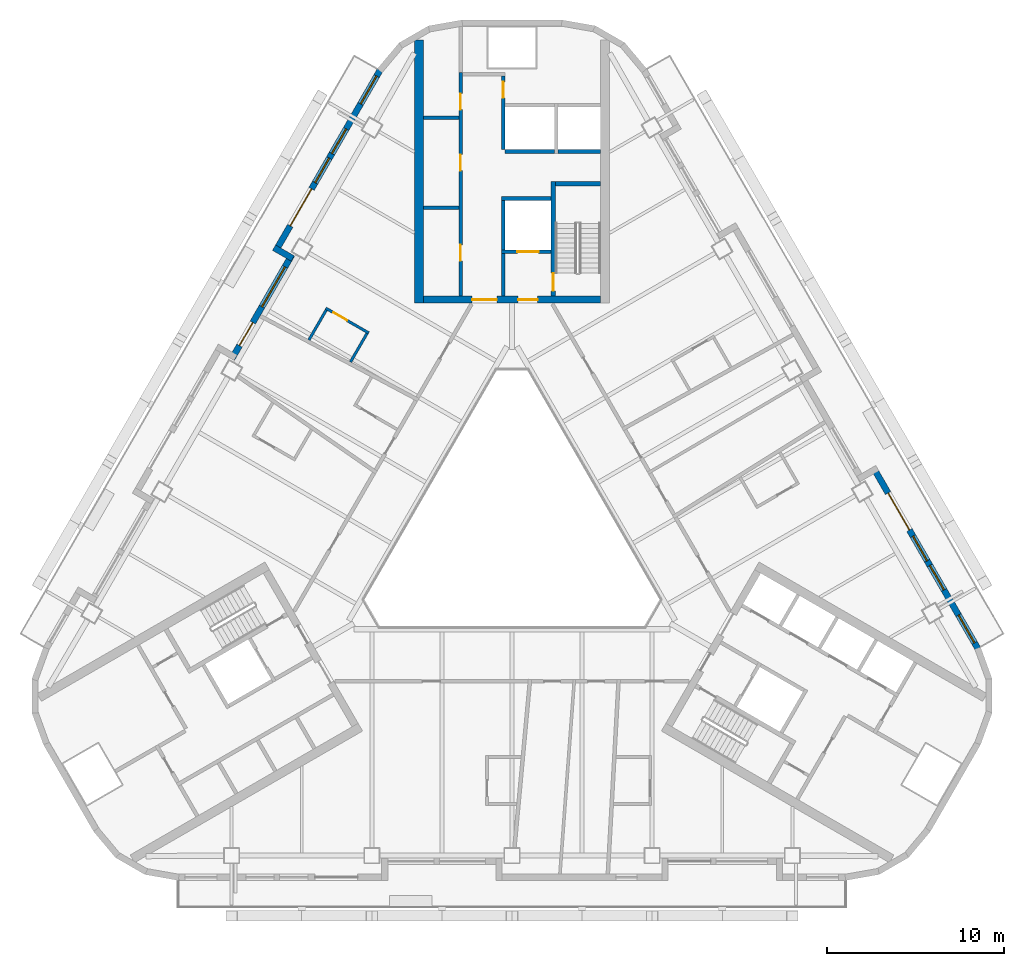
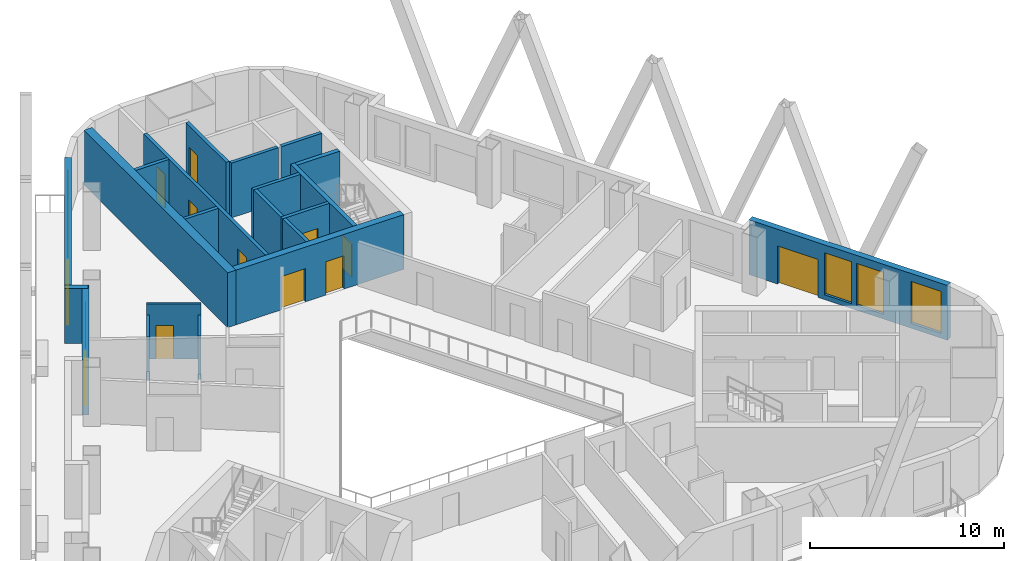
# One storey, part 6 of 13: 21 walls, 12 doors, 7 windows, 19 openings.
"""IFC4 building model written with IfcOpenShell, lengths in metres."""

from ifc_helpers import new_model, si_unit, direction, frame, frame_2d, origin, place, context, subcontext, project, spatial, rectangle, extrude, material, layer, layer_set, type_object, element, fill, save


model = new_model("IFC4")

# Units and contexts
model_context = context("Model", 3, precision=1e-05, world=origin(), true_north=direction((0.0, 1.0)))
body_context = subcontext(model_context, "Body", "Model", "MODEL_VIEW")
ifc_project = project(units=[si_unit("LENGTHUNIT", "METRE"), si_unit("AREAUNIT", "SQUARE_METRE"), si_unit("VOLUMEUNIT", "CUBIC_METRE"), si_unit("PLANEANGLEUNIT", "RADIAN"), si_unit("MASSUNIT", "GRAM", prefix="KILO")], contexts=[model_context])

# Site, building, storey
site_placement = place(None, origin())
site = spatial("IfcSite", under=ifc_project, at=site_placement, CompositionType="ELEMENT")
building_placement = place(site_placement, origin())
building = spatial("IfcBuilding", under=site, at=building_placement, Name="Apuvela Tower Hotel", CompositionType="ELEMENT")
storey_placement = place(building_placement, frame((0.0, 0.0, 127.89990234375)))
storey = spatial("IfcBuildingStorey", under=building, at=storey_placement, Name="L30", CompositionType="ELEMENT", Elevation=127.89990234375)

# Wall, openings, doors
ifc_material_1 = material(Name="Concrete C50/60", Category="concrete")
ifc_layer_1 = layer(ifc_material_1, 0.39990234375)
ifc_layer_set_1 = layer_set([ifc_layer_1], Name="COR-WALL-CORE-400")
wall_type_1 = type_object("IfcWallType", Name="COR-WALL-CORE-400", PredefinedType="SHEAR", material=ifc_layer_set_1)
wall_1_placement = place(storey_placement, frame((5.0, 13.10009765625, 0.0), z_axis=(0.0, 0.0, 1.0), x_axis=(-1.0, 0.0, 0.0)))
wall_1 = element("IfcWall", 1, at=wall_1_placement, inside=storey, type_object=wall_type_1, Name="Core wall N", PredefinedType="SHEAR", context=body_context, shape_type="SweptSolid", body=[
    extrude(rectangle(XDim=10.0, YDim=0.39990234375, at=frame_2d((5.0, 0.0))), origin(), (0.0, 0.0, 1.0), 3.4501953125),
])
opening_1_placement = place(wall_1_placement, frame((3.550048828125, 0.0, 0.0)))
opening_1 = element("IfcOpeningElement", 2, at=opening_1_placement, cuts=wall_1, Name="Opening N-FD", PredefinedType="OPENING", context=body_context, shape_type="SweptSolid", body=[
    extrude(rectangle(XDim=1.10009765625, YDim=2.10009765625, at=frame_2d((0.550048828125, 1.050048828125))), frame((0.0, 0.2099609375, 0.0), z_axis=(0.0, -1.0, 0.0), x_axis=(1.0, 0.0, 0.0)), (0.0, 0.0, 1.0), 0.419921875),
])
opening_2_placement = place(wall_1_placement, frame((5.85009765625, 0.0, 0.0)))
opening_2 = element("IfcOpeningElement", 3, at=opening_2_placement, cuts=wall_1, Name="Opening N-GD", PredefinedType="OPENING", context=body_context, shape_type="SweptSolid", body=[
    extrude(rectangle(XDim=1.39990234375, YDim=2.10009765625, at=frame_2d((0.699951171875, 1.050048828125))), frame((0.0, 0.2099609375, 0.0), z_axis=(0.0, -1.0, 0.0), x_axis=(1.0, 0.0, 0.0)), (0.0, 0.0, 1.0), 0.419921875),
])
ifc_material_2 = material(Name="Steel fire door, powder coated", Category="steel")
door_type_1 = type_object("IfcDoorType", Name="COR-FD-1100", OperationType="NOTDEFINED", PredefinedType="DOOR", material=ifc_material_2)
door_1_placement = place(opening_1_placement, frame((1.10009765625, 0.0, 0.0), z_axis=(0.0, 0.0, 1.0), x_axis=(-1.0, 0.0, 0.0)))
door_1 = element("IfcDoor", 4, at=door_1_placement, inside=storey, type_object=door_type_1, Name="Firefighting lobby door N-FD", OperationType="SINGLE_SWING_LEFT", OverallHeight=2.10009765625, OverallWidth=1.10009765625, PredefinedType="DOOR", context=body_context, shape_type="SweptSolid", body=[
    extrude(rectangle(XDim=1.10009765625, YDim=2.10009765625, at=frame_2d((0.550048828125, 1.050048828125))), frame((0.0, 0.02490234375, 0.0), z_axis=(0.0, -1.0, 0.0), x_axis=(1.0, 0.0, 0.0)), (0.0, 0.0, 1.0), 0.050048828125),
])
fill(opening_1, door_1)
ifc_material_3 = material(Name="Glazed steel fire door", Category="steel")
door_type_2 = type_object("IfcDoorType", Name="COR-GD-1400", OperationType="DOUBLE_DOOR_SINGLE_SWING", PredefinedType="DOOR", material=ifc_material_3)
door_2_placement = place(opening_2_placement, frame((1.39990234375, 0.0, 0.0), z_axis=(0.0, 0.0, 1.0), x_axis=(-1.0, 0.0, 0.0)))
door_2 = element("IfcDoor", 5, at=door_2_placement, inside=storey, type_object=door_type_2, Name="Lift lobby door N-GD", OperationType="DOUBLE_DOOR_SINGLE_SWING", OverallHeight=2.10009765625, OverallWidth=1.39990234375, PredefinedType="DOOR", context=body_context, shape_type="SweptSolid", body=[
    extrude(rectangle(XDim=1.39990234375, YDim=2.10009765625, at=frame_2d((0.699951171875, 1.050048828125))), frame((0.0, 0.02490234375, 0.0), z_axis=(0.0, -1.0, 0.0), x_axis=(1.0, 0.0, 0.0)), (0.0, 0.0, 1.0), 0.050048828125),
])
fill(opening_2, door_2)

# Walls
ifc_layer_2 = layer(ifc_material_1, 0.5)
ifc_layer_set_2 = layer_set([ifc_layer_2], Name="COR-WALL-CORE-500")
wall_type_2 = type_object("IfcWallType", Name="COR-WALL-CORE-500", PredefinedType="SHEAR", material=ifc_layer_set_2)
wall_2_placement = place(storey_placement, frame((-5.25, 12.89990234375, 0.0), z_axis=(0.0, 0.0, 1.0), x_axis=(0.0, 1.0, 0.0)))
element("IfcWall", 6, at=wall_2_placement, inside=storey, type_object=wall_type_2, Name="Core wall N", PredefinedType="SHEAR", context=body_context, shape_type="SweptSolid", body=[
    extrude(rectangle(XDim=14.8369140625, YDim=0.5, at=frame_2d((7.41845703125, 0.0))), origin(), (0.0, 0.0, 1.0), 3.4501953125),
])
ifc_material_4 = material(Name="Blockwork 200 mm plastered", Category="masonry")
ifc_layer_3 = layer(ifc_material_4, 0.199951171875)
ifc_layer_set_3 = layer_set([ifc_layer_3], Name="COR-WALL-PART-200")
wall_type_3 = type_object("IfcWallType", Name="COR-WALL-PART-200", PredefinedType="PARTITIONING", material=ifc_layer_set_3)
wall_3_placement = place(storey_placement, frame((5.0, 21.449951171875, 0.0), z_axis=(0.0, 0.0, 1.0), x_axis=(-1.0, 0.0, 0.0)))
element("IfcWall", 7, at=wall_3_placement, inside=storey, type_object=wall_type_3, Name="Partition N", PredefinedType="PARTITIONING", context=body_context, shape_type="SweptSolid", body=[
    extrude(rectangle(XDim=2.39990234375, YDim=0.199951171875, at=frame_2d((1.199951171875, 0.0))), origin(), (0.0, 0.0, 1.0), 3.4501953125),
])
wall_4_placement = place(storey_placement, frame((2.39990234375, 21.449951171875, 0.0), z_axis=(0.0, 0.0, 1.0), x_axis=(-1.0, 0.0, 0.0)))
element("IfcWall", 8, at=wall_4_placement, inside=storey, type_object=wall_type_3, Name="Partition N", PredefinedType="PARTITIONING", context=body_context, shape_type="SweptSolid", body=[
    extrude(rectangle(XDim=2.7998046875, YDim=0.199951171875, at=frame_2d((1.39990234375, 0.0))), origin(), (0.0, 0.0, 1.0), 3.4501953125),
])
ifc_layer_4 = layer(ifc_material_1, 0.199951171875)
ifc_layer_set_4 = layer_set([ifc_layer_4], Name="COR-WALL-SHAFT-200")
wall_type_4 = type_object("IfcWallType", Name="COR-WALL-SHAFT-200", PredefinedType="SHEAR", material=ifc_layer_set_4)
wall_5_placement = place(storey_placement, frame((2.199951171875, 18.800048828125, 0.0), z_axis=(0.0, 0.0, 1.0), x_axis=(-1.0, 0.0, 0.0)))
element("IfcWall", 9, at=wall_5_placement, inside=storey, type_object=wall_type_4, Name="Shaft wall N", PredefinedType="SHEAR", context=body_context, shape_type="SweptSolid", body=[
    extrude(rectangle(XDim=2.800048828125, YDim=0.199951171875, at=frame_2d((1.39990234375, 0.0))), origin(), (0.0, 0.0, 1.0), 3.4501953125),
])

# Wall, opening, door
wall_6_placement = place(storey_placement, frame((2.199951171875, 15.800048828125, 0.0), z_axis=(0.0, 0.0, 1.0), x_axis=(-1.0, 0.0, 0.0)))
wall_6 = element("IfcWall", 10, at=wall_6_placement, inside=storey, type_object=wall_type_4, Name="Shaft wall N", PredefinedType="SHEAR", context=body_context, shape_type="SweptSolid", body=[
    extrude(rectangle(XDim=2.800048828125, YDim=0.199951171875, at=frame_2d((1.39990234375, 0.0))), origin(), (0.0, 0.0, 1.0), 3.4501953125),
])
opening_3_placement = place(wall_6_placement, frame((0.699951171875, 0.0, 0.0)))
opening_3 = element("IfcOpeningElement", 11, at=opening_3_placement, cuts=wall_6, Name="Opening N-LD-FS1", PredefinedType="OPENING", context=body_context, shape_type="SweptSolid", body=[
    extrude(rectangle(XDim=1.199951171875, YDim=2.10009765625, at=frame_2d((0.60009765625, 1.050048828125))), frame((0.0, 0.10986328125, 0.0), z_axis=(0.0, -1.0, 0.0), x_axis=(1.0, 0.0, 0.0)), (0.0, 0.0, 1.0), 0.219970703125),
])
ifc_material_5 = material(Name="Stainless steel lift landing door", Category="steel")
door_type_3 = type_object("IfcDoorType", Name="COR-LD-1200", OperationType="DOUBLE_DOOR_SLIDING", PredefinedType="DOOR", material=ifc_material_5)
door_3_placement = place(opening_3_placement, origin())
door_3 = element("IfcDoor", 12, at=door_3_placement, inside=storey, type_object=door_type_3, Name="Lift landing door N-LD-FS1", OperationType="DOUBLE_DOOR_SLIDING", OverallHeight=2.10009765625, OverallWidth=1.199951171875, PredefinedType="DOOR", context=body_context, shape_type="SweptSolid", body=[
    extrude(rectangle(XDim=1.199951171875, YDim=2.10009765625, at=frame_2d((0.60009765625, 1.050048828125))), frame((0.0, 0.02490234375, 0.0), z_axis=(0.0, -1.0, 0.0), x_axis=(1.0, 0.0, 0.0)), (0.0, 0.0, 1.0), 0.050048828125),
])
fill(opening_3, door_3)

# Walls
wall_7_placement = place(storey_placement, frame((-0.5, 15.89990234375, 0.0), z_axis=(0.0, 0.0, 1.0), x_axis=(0.0, 1.0, 0.0)))
element("IfcWall", 13, at=wall_7_placement, inside=storey, type_object=wall_type_4, Name="Shaft wall N", PredefinedType="SHEAR", context=body_context, shape_type="SweptSolid", body=[
    extrude(rectangle(XDim=2.800048828125, YDim=0.199951171875, at=frame_2d((1.39990234375, 0.0))), origin(), (0.0, 0.0, 1.0), 3.4501953125),
])
wall_8_placement = place(storey_placement, frame((-0.5, 13.300048828125, 0.0), z_axis=(0.0, 0.0, 1.0), x_axis=(0.0, 1.0, 0.0)))
element("IfcWall", 14, at=wall_8_placement, inside=storey, type_object=wall_type_4, Name="Shaft wall N", PredefinedType="SHEAR", context=body_context, shape_type="SweptSolid", body=[
    extrude(rectangle(XDim=2.39990234375, YDim=0.199951171875, at=frame_2d((1.199951171875, 0.0))), origin(), (0.0, 0.0, 1.0), 3.4501953125),
])

# Wall, openings, doors
wall_9_placement = place(storey_placement, frame((-2.89990234375, 13.300048828125, 0.0), z_axis=(0.0, 0.0, 1.0), x_axis=(0.0, 1.0, 0.0)))
wall_9 = element("IfcWall", 15, at=wall_9_placement, inside=storey, type_object=wall_type_4, Name="Shaft wall N", PredefinedType="SHEAR", context=body_context, shape_type="SweptSolid", body=[
    extrude(rectangle(XDim=12.599853515625, YDim=0.199951171875, at=frame_2d((6.2998046875, 0.0))), origin(), (0.0, 0.0, 1.0), 3.4501953125),
])
opening_4_placement = place(wall_9_placement, frame((1.989990234375, 0.0, 0.0)))
opening_4 = element("IfcOpeningElement", 16, at=opening_4_placement, cuts=wall_9, Name="Opening N-RE1", PredefinedType="OPENING", context=body_context, shape_type="SweptSolid", body=[
    extrude(rectangle(XDim=0.89990234375, YDim=2.10009765625, at=frame_2d((0.449951171875, 1.050048828125))), frame((0.0, 0.10986328125, 0.0), z_axis=(0.0, -1.0, 0.0), x_axis=(1.0, 0.0, 0.0)), (0.0, 0.0, 1.0), 0.219970703125),
])
opening_5_placement = place(wall_9_placement, frame((7.070068359375, 0.0, 0.0)))
opening_5 = element("IfcOpeningElement", 17, at=opening_5_placement, cuts=wall_9, Name="Opening N-RE3", PredefinedType="OPENING", context=body_context, shape_type="SweptSolid", body=[
    extrude(rectangle(XDim=0.89990234375, YDim=2.10009765625, at=frame_2d((0.449951171875, 1.050048828125))), frame((0.0, 0.10986328125, 0.0), z_axis=(0.0, -1.0, 0.0), x_axis=(1.0, 0.0, 0.0)), (0.0, 0.0, 1.0), 0.219970703125),
])
opening_6_placement = place(wall_9_placement, frame((10.510009765625, 0.0, 0.0)))
opening_6 = element("IfcOpeningElement", 18, at=opening_6_placement, cuts=wall_9, Name="Opening N-REP", PredefinedType="OPENING", context=body_context, shape_type="SweptSolid", body=[
    extrude(rectangle(XDim=0.89990234375, YDim=2.10009765625, at=frame_2d((0.449951171875, 1.050048828125))), frame((0.0, 0.10986328125, 0.0), z_axis=(0.0, -1.0, 0.0), x_axis=(1.0, 0.0, 0.0)), (0.0, 0.0, 1.0), 0.219970703125),
])
door_type_4 = type_object("IfcDoorType", Name="COR-DR-900", OperationType="NOTDEFINED", PredefinedType="DOOR", material=ifc_material_2)
door_4_placement = place(opening_4_placement, origin())
door_4 = element("IfcDoor", 19, at=door_4_placement, inside=storey, type_object=door_type_4, Name="Store door N-RE1", OperationType="SINGLE_SWING_LEFT", OverallHeight=2.10009765625, OverallWidth=0.89990234375, PredefinedType="DOOR", context=body_context, shape_type="SweptSolid", body=[
    extrude(rectangle(XDim=0.89990234375, YDim=2.10009765625, at=frame_2d((0.449951171875, 1.050048828125))), frame((0.0, 0.02490234375, 0.0), z_axis=(0.0, -1.0, 0.0), x_axis=(1.0, 0.0, 0.0)), (0.0, 0.0, 1.0), 0.050048828125),
])
fill(opening_4, door_4)
door_5_placement = place(opening_5_placement, origin())
door_5 = element("IfcDoor", 20, at=door_5_placement, inside=storey, type_object=door_type_4, Name="Store door N-RE3", OperationType="SINGLE_SWING_LEFT", OverallHeight=2.10009765625, OverallWidth=0.89990234375, PredefinedType="DOOR", context=body_context, shape_type="SweptSolid", body=[
    extrude(rectangle(XDim=0.89990234375, YDim=2.10009765625, at=frame_2d((0.449951171875, 1.050048828125))), frame((0.0, 0.02490234375, 0.0), z_axis=(0.0, -1.0, 0.0), x_axis=(1.0, 0.0, 0.0)), (0.0, 0.0, 1.0), 0.050048828125),
])
fill(opening_5, door_5)
door_6_placement = place(opening_6_placement, origin())
door_6 = element("IfcDoor", 21, at=door_6_placement, inside=storey, type_object=door_type_4, Name="Store door N-REP", OperationType="SINGLE_SWING_RIGHT", OverallHeight=2.10009765625, OverallWidth=0.89990234375, PredefinedType="DOOR", context=body_context, shape_type="SweptSolid", body=[
    extrude(rectangle(XDim=0.89990234375, YDim=2.10009765625, at=frame_2d((0.449951171875, 1.050048828125))), frame((0.0, 0.02490234375, 0.0), z_axis=(0.0, -1.0, 0.0), x_axis=(1.0, 0.0, 0.0)), (0.0, 0.0, 1.0), 0.050048828125),
])
fill(opening_6, door_6)

# Wall, opening, door
wall_10_placement = place(storey_placement, frame((-0.5, 21.550048828125, 0.0), z_axis=(0.0, 0.0, 1.0), x_axis=(0.0, 1.0, 0.0)))
wall_10 = element("IfcWall", 22, at=wall_10_placement, inside=storey, type_object=wall_type_4, Name="Shaft wall N", PredefinedType="SHEAR", context=body_context, shape_type="SweptSolid", body=[
    extrude(rectangle(XDim=4.14990234375, YDim=0.199951171875, at=frame_2d((2.074951171875, 0.0))), origin(), (0.0, 0.0, 1.0), 3.4501953125),
])
opening_7_placement = place(wall_10_placement, frame((2.925048828125, 0.0, 0.0)))
opening_7 = element("IfcOpeningElement", 23, at=opening_7_placement, cuts=wall_10, Name="Opening N-RSP", PredefinedType="OPENING", context=body_context, shape_type="SweptSolid", body=[
    extrude(rectangle(XDim=0.89990234375, YDim=2.10009765625, at=frame_2d((0.449951171875, 1.050048828125))), frame((0.0, 0.10986328125, 0.0), z_axis=(0.0, -1.0, 0.0), x_axis=(1.0, 0.0, 0.0)), (0.0, 0.0, 1.0), 0.219970703125),
])
door_7_placement = place(opening_7_placement, frame((0.89990234375, 0.0, 0.0), z_axis=(0.0, 0.0, 1.0), x_axis=(-1.0, 0.0, 0.0)))
door_7 = element("IfcDoor", 24, at=door_7_placement, inside=storey, type_object=door_type_4, Name="Store door N-RSP", OperationType="SINGLE_SWING_LEFT", OverallHeight=2.10009765625, OverallWidth=0.89990234375, PredefinedType="DOOR", context=body_context, shape_type="SweptSolid", body=[
    extrude(rectangle(XDim=0.89990234375, YDim=2.10009765625, at=frame_2d((0.449951171875, 1.050048828125))), frame((0.0, 0.02490234375, 0.0), z_axis=(0.0, -1.0, 0.0), x_axis=(1.0, 0.0, 0.0)), (0.0, 0.0, 1.0), 0.050048828125),
])
fill(opening_7, door_7)

# Walls
for number, where, z_axis, x_axis, name in (
    (25, (-3.0, 18.280029296875, 0.0), (0.0, 0.0, 1.0), (-1.0, 0.0, 0.0), "Shaft wall N"),
    (26, (-3.0, 23.360107421875, 0.0), (0.0, 0.0, 1.0), (-1.0, 0.0, 0.0), "Shaft wall N"),
):
    element("IfcWall", number, at=place(storey_placement, frame(where, z_axis=z_axis, x_axis=x_axis)), inside=storey, type_object=wall_type_4, Name=name, PredefinedType="SHEAR", context=body_context, shape_type="SweptSolid", body=[
        extrude(rectangle(XDim=2.0, YDim=0.199951171875, at=frame_2d((1.0, 0.0))), origin(), (0.0, 0.0, 1.0), 3.4501953125),
    ])

# Wall, opening, door
ifc_layer_5 = layer(ifc_material_1, 0.25)
ifc_layer_set_5 = layer_set([ifc_layer_5], Name="COR-WALL-STAIR-250")
wall_type_5 = type_object("IfcWallType", Name="COR-WALL-STAIR-250", PredefinedType="SHEAR", material=ifc_layer_set_5)
wall_11_placement = place(storey_placement, frame((2.324951171875, 13.300048828125, 0.0), z_axis=(0.0, 0.0, 1.0), x_axis=(0.0, 1.0, 0.0)))
wall_11 = element("IfcWall", 27, at=wall_11_placement, inside=storey, type_object=wall_type_5, Name="Stair wall N", PredefinedType="SHEAR", context=body_context, shape_type="SweptSolid", body=[
    extrude(rectangle(XDim=6.449951171875, YDim=0.25, at=frame_2d((3.22509765625, 0.0))), origin(), (0.0, 0.0, 1.0), 3.4501953125),
])
opening_8_placement = place(wall_11_placement, frame((0.300048828125, 0.0, 0.0)))
opening_8 = element("IfcOpeningElement", 28, at=opening_8_placement, cuts=wall_11, Name="Opening N-SD", PredefinedType="OPENING", context=body_context, shape_type="SweptSolid", body=[
    extrude(rectangle(XDim=1.0, YDim=2.10009765625, at=frame_2d((0.5, 1.050048828125))), frame((0.0, 0.135009765625, 0.0), z_axis=(0.0, -1.0, 0.0), x_axis=(1.0, 0.0, 0.0)), (0.0, 0.0, 1.0), 0.27001953125),
])
door_type_5 = type_object("IfcDoorType", Name="COR-SD-1000", OperationType="NOTDEFINED", PredefinedType="DOOR", material=ifc_material_2)
door_8_placement = place(opening_8_placement, frame((1.0, 0.0, 0.0), z_axis=(0.0, 0.0, 1.0), x_axis=(-1.0, 0.0, 0.0)))
door_8 = element("IfcDoor", 29, at=door_8_placement, inside=storey, type_object=door_type_5, Name="Stair door N-SD", OperationType="SINGLE_SWING_LEFT", OverallHeight=2.10009765625, OverallWidth=1.0, PredefinedType="DOOR", context=body_context, shape_type="SweptSolid", body=[
    extrude(rectangle(XDim=1.0, YDim=2.10009765625, at=frame_2d((0.5, 1.050048828125))), frame((0.0, 0.02490234375, 0.0), z_axis=(0.0, -1.0, 0.0), x_axis=(1.0, 0.0, 0.0)), (0.0, 0.0, 1.0), 0.050048828125),
])
fill(opening_8, door_8)

# Wall
wall_12_placement = place(storey_placement, frame((5.0, 19.625, 0.0), z_axis=(0.0, 0.0, 1.0), x_axis=(-1.0, 0.0, 0.0)))
element("IfcWall", 30, at=wall_12_placement, inside=storey, type_object=wall_type_5, Name="Stair wall N", PredefinedType="SHEAR", context=body_context, shape_type="SweptSolid", body=[
    extrude(rectangle(XDim=2.550048828125, YDim=0.25, at=frame_2d((1.27490234375, 0.0))), origin(), (0.0, 0.0, 1.0), 3.4501953125),
])

# Wall, openings, door, windows
ifc_material_6 = material(Name="Concrete C40/50, dark pigmented precast panel", Category="concrete")
ifc_layer_6 = layer(ifc_material_6, 0.35009765625)
ifc_layer_set_6 = layer_set([ifc_layer_6], Name="ENV-WALL-350")
wall_type_6 = type_object("IfcWallType", Name="ENV-WALL-350", PredefinedType="SOLIDWALL", material=ifc_layer_set_6)
wall_13_placement = place(storey_placement, frame((-7.440673828125, 26.0224609375, 0.0), z_axis=(0.0, 0.0, 1.0), x_axis=(-0.499992533062, -0.86602971478, 0.0)))
wall_13 = element("IfcWall", 31, at=wall_13_placement, inside=storey, type_object=wall_type_6, Name="External wall L30-01", PredefinedType="SOLIDWALL", context=body_context, shape_type="SweptSolid", body=[
    extrude(rectangle(XDim=11.815673828125, YDim=0.35009765625, at=frame_2d((5.90771484375, 0.0))), origin(), (0.0, 0.0, 1.0), 3.4501953125),
])
opening_9_placement = place(wall_13_placement, frame((0.381103515625, 0.0, 0.300048828125)))
opening_9 = element("IfcOpeningElement", 32, at=opening_9_placement, cuts=wall_13, Name="Opening WN18", PredefinedType="OPENING", context=body_context, shape_type="SweptSolid", body=[
    extrude(rectangle(XDim=1.800048828125, YDim=2.64990234375, at=frame_2d((0.89990234375, 1.324951171875))), frame((0.0, 0.18505859375, 0.0), z_axis=(0.0, -1.0, 0.0), x_axis=(1.0, 0.0, 0.0)), (0.0, 0.0, 1.0), 0.3701171875),
])
opening_10_placement = place(wall_13_placement, frame((7.7158203125, 0.0, 0.0)))
opening_10 = element("IfcOpeningElement", 33, at=opening_10_placement, cuts=wall_13, Name="Opening BD24", PredefinedType="OPENING", context=body_context, shape_type="SweptSolid", body=[
    extrude(rectangle(XDim=2.39990234375, YDim=2.39990234375, at=frame_2d((1.199951171875, 1.199951171875))), frame((0.0, 0.18505859375, 0.0), z_axis=(0.0, -1.0, 0.0), x_axis=(1.0, 0.0, 0.0)), (0.0, 0.0, 1.0), 0.3701171875),
])
opening_11_placement = place(wall_13_placement, frame((3.815185546875, 0.0, 0.300048828125)))
opening_11 = element("IfcOpeningElement", 34, at=opening_11_placement, cuts=wall_13, Name="Opening WN16", PredefinedType="OPENING", context=body_context, shape_type="SweptSolid", body=[
    extrude(rectangle(XDim=1.60009765625, YDim=2.64990234375, at=frame_2d((0.800048828125, 1.324951171875))), frame((0.0, 0.18505859375, 0.0), z_axis=(0.0, -1.0, 0.0), x_axis=(1.0, 0.0, 0.0)), (0.0, 0.0, 1.0), 0.3701171875),
])
opening_12_placement = place(wall_13_placement, frame((5.715087890625, 0.0, 0.300048828125)))
opening_12 = element("IfcOpeningElement", 35, at=opening_12_placement, cuts=wall_13, Name="Opening WN16", PredefinedType="OPENING", context=body_context, shape_type="SweptSolid", body=[
    extrude(rectangle(XDim=1.60009765625, YDim=2.64990234375, at=frame_2d((0.800048828125, 1.324951171875))), frame((0.0, 0.18505859375, 0.0), z_axis=(0.0, -1.0, 0.0), x_axis=(1.0, 0.0, 0.0)), (0.0, 0.0, 1.0), 0.3701171875),
])
ifc_material_7 = material(Name="Aluminium 6063-T6, dark bronze anodised frame with dark tinted laminated glass", Category="aluminium")
door_type_6 = type_object("IfcDoorType", Name="ENV-DOOR-BALCONY-2400x2400", OperationType="SLIDING_TO_LEFT", PredefinedType="DOOR", material=ifc_material_7)
door_9_placement = place(opening_10_placement, frame((2.39990234375, 0.0, 0.0), z_axis=(0.0, 0.0, 1.0), x_axis=(-1.0, 0.0, 0.0)))
door_9 = element("IfcDoor", 36, at=door_9_placement, inside=storey, type_object=door_type_6, Name="Balcony door BD24", OperationType="SLIDING_TO_LEFT", OverallHeight=2.39990234375, OverallWidth=2.39990234375, PredefinedType="DOOR", context=body_context, shape_type="SweptSolid", body=[
    extrude(rectangle(XDim=2.39990234375, YDim=2.39990234375, at=frame_2d((1.199951171875, 1.199951171875))), frame((0.0, 0.02490234375, 0.0), z_axis=(0.0, -1.0, 0.0), x_axis=(1.0, 0.0, 0.0)), (0.0, 0.0, 1.0), 0.050048828125),
])
fill(opening_10, door_9)
ifc_material_8 = material(Name="Glass, dark tinted laminated insulated glazing unit", Category="glass")
window_type_1 = type_object("IfcWindowType", Name="ENV-WIN-1600x2650", PartitioningType="SINGLE_PANEL", PredefinedType="WINDOW", material=ifc_material_8)
window_1_placement = place(opening_11_placement, origin())
window_1 = element("IfcWindow", 37, at=window_1_placement, inside=storey, type_object=window_type_1, Name="Window WN16", OverallHeight=2.64990234375, OverallWidth=1.60009765625, PartitioningType="SINGLE_PANEL", PredefinedType="WINDOW", context=body_context, shape_type="SweptSolid", body=[
    extrude(rectangle(XDim=1.60009765625, YDim=2.64990234375, at=frame_2d((0.800048828125, 1.324951171875))), frame((0.0, 0.030029296875, 0.0), z_axis=(0.0, -1.0, 0.0), x_axis=(1.0, 0.0, 0.0)), (0.0, 0.0, 1.0), 0.06005859375),
])
fill(opening_11, window_1)
window_2_placement = place(opening_12_placement, origin())
window_2 = element("IfcWindow", 38, at=window_2_placement, inside=storey, type_object=window_type_1, Name="Window WN16", OverallHeight=2.64990234375, OverallWidth=1.60009765625, PartitioningType="SINGLE_PANEL", PredefinedType="WINDOW", context=body_context, shape_type="SweptSolid", body=[
    extrude(rectangle(XDim=1.60009765625, YDim=2.64990234375, at=frame_2d((0.800048828125, 1.324951171875))), frame((0.0, 0.030029296875, 0.0), z_axis=(0.0, -1.0, 0.0), x_axis=(1.0, 0.0, 0.0)), (0.0, 0.0, 1.0), 0.06005859375),
])
fill(opening_12, window_2)
window_type_2 = type_object("IfcWindowType", Name="ENV-WIN-1800x2650", PartitioningType="SINGLE_PANEL", PredefinedType="WINDOW", material=ifc_material_8)
window_3_placement = place(opening_9_placement, origin())
window_3 = element("IfcWindow", 39, at=window_3_placement, inside=storey, type_object=window_type_2, Name="Window WN18", OverallHeight=2.64990234375, OverallWidth=1.800048828125, PartitioningType="SINGLE_PANEL", PredefinedType="WINDOW", context=body_context, shape_type="SweptSolid", body=[
    extrude(rectangle(XDim=1.800048828125, YDim=2.64990234375, at=frame_2d((0.89990234375, 1.324951171875))), frame((0.0, 0.030029296875, 0.0), z_axis=(0.0, -1.0, 0.0), x_axis=(1.0, 0.0, 0.0)), (0.0, 0.0, 1.0), 0.06005859375),
])
fill(opening_9, window_3)

# Wall
wall_14_placement = place(storey_placement, frame((-13.41259765625, 16.02880859375, 0.0), z_axis=(0.0, 0.0, 1.0), x_axis=(0.866005645448, -0.500034220881, 0.0)))
element("IfcWall", 40, at=wall_14_placement, inside=storey, type_object=wall_type_6, Name="External wall L30-02", PredefinedType="SOLIDWALL", context=body_context, shape_type="SweptSolid", body=[
    extrude(rectangle(XDim=1.22021484375, YDim=0.35009765625, at=frame_2d((0.610107421875, 0.0))), origin(), (0.0, 0.0, 1.0), 3.4501953125),
])

# Wall, openings, door, window
wall_15_placement = place(storey_placement, frame((-12.408935546875, 15.616943359375, 0.0), z_axis=(0.0, 0.0, 1.0), x_axis=(-0.500003597184, -0.866023326939, 0.0)))
wall_15 = element("IfcWall", 41, at=wall_15_placement, inside=storey, type_object=wall_type_6, Name="External wall L30-03", PredefinedType="SOLIDWALL", context=body_context, shape_type="SweptSolid", body=[
    extrude(rectangle(XDim=6.740234375, YDim=0.35009765625, at=frame_2d((3.3701171875, 0.0))), origin(), (0.0, 0.0, 1.0), 3.4501953125),
])
opening_13_placement = place(wall_15_placement, frame((0.77001953125, 0.0, 0.300048828125)))
opening_13 = element("IfcOpeningElement", 42, at=opening_13_placement, cuts=wall_15, Name="Opening WN26", PredefinedType="OPENING", context=body_context, shape_type="SweptSolid", body=[
    extrude(rectangle(XDim=2.60009765625, YDim=2.64990234375, at=frame_2d((1.300048828125, 1.324951171875))), frame((0.0, 0.18505859375, 0.0), z_axis=(0.0, -1.0, 0.0), x_axis=(1.0, 0.0, 0.0)), (0.0, 0.0, 1.0), 0.3701171875),
])
opening_14_placement = place(wall_15_placement, frame((4.394287109375, 0.0, 0.0)))
opening_14 = element("IfcOpeningElement", 43, at=opening_14_placement, cuts=wall_15, Name="Opening BD15", PredefinedType="OPENING", context=body_context, shape_type="SweptSolid", body=[
    extrude(rectangle(XDim=1.5, YDim=2.39990234375, at=frame_2d((0.75, 1.199951171875))), frame((0.0, 0.18505859375, 0.0), z_axis=(0.0, -1.0, 0.0), x_axis=(1.0, 0.0, 0.0)), (0.0, 0.0, 1.0), 0.3701171875),
])
door_type_7 = type_object("IfcDoorType", Name="ENV-DOOR-BALCONY-1500x2400", OperationType="SLIDING_TO_LEFT", PredefinedType="DOOR", material=ifc_material_7)
door_10_placement = place(opening_14_placement, frame((1.5, 0.0, 0.0), z_axis=(0.0, 0.0, 1.0), x_axis=(-1.0, 0.0, 0.0)))
door_10 = element("IfcDoor", 44, at=door_10_placement, inside=storey, type_object=door_type_7, Name="Balcony door BD15", OperationType="SLIDING_TO_LEFT", OverallHeight=2.39990234375, OverallWidth=1.5, PredefinedType="DOOR", context=body_context, shape_type="SweptSolid", body=[
    extrude(rectangle(XDim=1.5, YDim=2.39990234375, at=frame_2d((0.75, 1.199951171875))), frame((0.0, 0.02490234375, 0.0), z_axis=(0.0, -1.0, 0.0), x_axis=(1.0, 0.0, 0.0)), (0.0, 0.0, 1.0), 0.050048828125),
])
fill(opening_14, door_10)
window_type_3 = type_object("IfcWindowType", Name="ENV-WIN-2600x2650", PartitioningType="SINGLE_PANEL", PredefinedType="WINDOW", material=ifc_material_8)
window_4_placement = place(opening_13_placement, origin())
window_4 = element("IfcWindow", 45, at=window_4_placement, inside=storey, type_object=window_type_3, Name="Window WN26", OverallHeight=2.64990234375, OverallWidth=2.60009765625, PartitioningType="SINGLE_PANEL", PredefinedType="WINDOW", context=body_context, shape_type="SweptSolid", body=[
    extrude(rectangle(XDim=2.60009765625, YDim=2.64990234375, at=frame_2d((1.300048828125, 1.324951171875))), frame((0.0, 0.030029296875, 0.0), z_axis=(0.0, -1.0, 0.0), x_axis=(1.0, 0.0, 0.0)), (0.0, 0.0, 1.0), 0.06005859375),
])
fill(opening_13, window_4)

# Wall, openings, door, windows
wall_16_placement = place(storey_placement, frame((26.256591796875, -6.5673828125, 0.0), z_axis=(0.0, 0.0, 1.0), x_axis=(-0.500023526245, 0.866011820475, 0.0)))
wall_16 = element("IfcWall", 46, at=wall_16_placement, inside=storey, type_object=wall_type_6, Name="External wall L30-33", PredefinedType="SOLIDWALL", context=body_context, shape_type="SweptSolid", body=[
    extrude(rectangle(XDim=11.81591796875, YDim=0.35009765625, at=frame_2d((5.907958984375, 0.0))), origin(), (0.0, 0.0, 1.0), 3.4501953125),
])
opening_15_placement = place(wall_16_placement, frame((0.380126953125, 0.0, 0.300048828125)))
opening_15 = element("IfcOpeningElement", 47, at=opening_15_placement, cuts=wall_16, Name="Opening WN18", PredefinedType="OPENING", context=body_context, shape_type="SweptSolid", body=[
    extrude(rectangle(XDim=1.800048828125, YDim=2.64990234375, at=frame_2d((0.89990234375, 1.324951171875))), frame((0.0, 0.18505859375, 0.0), z_axis=(0.0, -1.0, 0.0), x_axis=(1.0, 0.0, 0.0)), (0.0, 0.0, 1.0), 0.3701171875),
])
opening_16_placement = place(wall_16_placement, frame((7.71630859375, 0.0, 0.0)))
opening_16 = element("IfcOpeningElement", 48, at=opening_16_placement, cuts=wall_16, Name="Opening BD24", PredefinedType="OPENING", context=body_context, shape_type="SweptSolid", body=[
    extrude(rectangle(XDim=2.39990234375, YDim=2.39990234375, at=frame_2d((1.199951171875, 1.199951171875))), frame((0.0, 0.18505859375, 0.0), z_axis=(0.0, -1.0, 0.0), x_axis=(1.0, 0.0, 0.0)), (0.0, 0.0, 1.0), 0.3701171875),
])
opening_17_placement = place(wall_16_placement, frame((3.81591796875, 0.0, 0.300048828125)))
opening_17 = element("IfcOpeningElement", 49, at=opening_17_placement, cuts=wall_16, Name="Opening WN16", PredefinedType="OPENING", context=body_context, shape_type="SweptSolid", body=[
    extrude(rectangle(XDim=1.60009765625, YDim=2.64990234375, at=frame_2d((0.800048828125, 1.324951171875))), frame((0.0, 0.18505859375, 0.0), z_axis=(0.0, -1.0, 0.0), x_axis=(1.0, 0.0, 0.0)), (0.0, 0.0, 1.0), 0.3701171875),
])
opening_18_placement = place(wall_16_placement, frame((5.7158203125, 0.0, 0.300048828125)))
opening_18 = element("IfcOpeningElement", 50, at=opening_18_placement, cuts=wall_16, Name="Opening WN16", PredefinedType="OPENING", context=body_context, shape_type="SweptSolid", body=[
    extrude(rectangle(XDim=1.60009765625, YDim=2.64990234375, at=frame_2d((0.800048828125, 1.324951171875))), frame((0.0, 0.18505859375, 0.0), z_axis=(0.0, -1.0, 0.0), x_axis=(1.0, 0.0, 0.0)), (0.0, 0.0, 1.0), 0.3701171875),
])
door_11_placement = place(opening_16_placement, frame((2.39990234375, 0.0, 0.0), z_axis=(0.0, 0.0, 1.0), x_axis=(-1.0, 0.0, 0.0)))
door_11 = element("IfcDoor", 51, at=door_11_placement, inside=storey, type_object=door_type_6, Name="Balcony door BD24", OperationType="SLIDING_TO_LEFT", OverallHeight=2.39990234375, OverallWidth=2.39990234375, PredefinedType="DOOR", context=body_context, shape_type="SweptSolid", body=[
    extrude(rectangle(XDim=2.39990234375, YDim=2.39990234375, at=frame_2d((1.199951171875, 1.199951171875))), frame((0.0, 0.02490234375, 0.0), z_axis=(0.0, -1.0, 0.0), x_axis=(1.0, 0.0, 0.0)), (0.0, 0.0, 1.0), 0.050048828125),
])
fill(opening_16, door_11)
window_5_placement = place(opening_17_placement, origin())
window_5 = element("IfcWindow", 52, at=window_5_placement, inside=storey, type_object=window_type_1, Name="Window WN16", OverallHeight=2.64990234375, OverallWidth=1.60009765625, PartitioningType="SINGLE_PANEL", PredefinedType="WINDOW", context=body_context, shape_type="SweptSolid", body=[
    extrude(rectangle(XDim=1.60009765625, YDim=2.64990234375, at=frame_2d((0.800048828125, 1.324951171875))), frame((0.0, 0.030029296875, 0.0), z_axis=(0.0, -1.0, 0.0), x_axis=(1.0, 0.0, 0.0)), (0.0, 0.0, 1.0), 0.06005859375),
])
fill(opening_17, window_5)
window_6_placement = place(opening_18_placement, origin())
window_6 = element("IfcWindow", 53, at=window_6_placement, inside=storey, type_object=window_type_1, Name="Window WN16", OverallHeight=2.64990234375, OverallWidth=1.60009765625, PartitioningType="SINGLE_PANEL", PredefinedType="WINDOW", context=body_context, shape_type="SweptSolid", body=[
    extrude(rectangle(XDim=1.60009765625, YDim=2.64990234375, at=frame_2d((0.800048828125, 1.324951171875))), frame((0.0, 0.030029296875, 0.0), z_axis=(0.0, -1.0, 0.0), x_axis=(1.0, 0.0, 0.0)), (0.0, 0.0, 1.0), 0.06005859375),
])
fill(opening_18, window_6)
window_7_placement = place(opening_15_placement, origin())
window_7 = element("IfcWindow", 54, at=window_7_placement, inside=storey, type_object=window_type_2, Name="Window WN18", OverallHeight=2.64990234375, OverallWidth=1.800048828125, PartitioningType="SINGLE_PANEL", PredefinedType="WINDOW", context=body_context, shape_type="SweptSolid", body=[
    extrude(rectangle(XDim=1.800048828125, YDim=2.64990234375, at=frame_2d((0.89990234375, 1.324951171875))), frame((0.0, 0.030029296875, 0.0), z_axis=(0.0, -1.0, 0.0), x_axis=(1.0, 0.0, 0.0)), (0.0, 0.0, 1.0), 0.06005859375),
])
fill(opening_15, window_7)

# Wall, opening, door
ifc_material_9 = material(Name="Moisture-resistant gypsum board wet wall on steel stud", Category="steel")
ifc_layer_7 = layer(ifc_material_9, 0.14990234375)
ifc_layer_set_7 = layer_set([ifc_layer_7], Name="GST-PW3")
wall_type_7 = type_object("IfcWallType", Name="GST-PW3", PredefinedType="PARTITIONING", material=ifc_layer_set_7)
wall_17_placement = place(storey_placement, frame((-8.07177734375, 11.219482421875, 0.0), z_axis=(0.0, 0.0, 1.0), x_axis=(-0.866034573852, 0.49998411664, 0.0)))
wall_17 = element("IfcWall", 55, at=wall_17_placement, inside=storey, type_object=wall_type_7, Name="L30 partition 30", PredefinedType="PARTITIONING", context=body_context, shape_type="SweptSolid", body=[
    extrude(rectangle(XDim=2.7998046875, YDim=0.14990234375, at=frame_2d((1.39990234375, 0.0))), origin(), (0.0, 0.0, 1.0), 3.4501953125),
])
opening_19_placement = place(wall_17_placement, frame((1.39990234375, 0.0, 0.0)))
opening_19 = element("IfcOpeningElement", 56, at=opening_19_placement, cuts=wall_17, Name="Opening GD11-13", PredefinedType="OPENING", context=body_context, shape_type="SweptSolid", body=[
    extrude(rectangle(XDim=0.89990234375, YDim=2.10009765625, at=frame_2d((0.449951171875, 1.050048828125))), frame((0.0, 0.0849609375, 0.0), z_axis=(0.0, -1.0, 0.0), x_axis=(1.0, 0.0, 0.0)), (0.0, 0.0, 1.0), 0.169921875),
])
ifc_material_10 = material(Name="Timber door leaf in steel frame", Category="steel")
door_type_8 = type_object("IfcDoorType", Name="GST-D2", OperationType="NOTDEFINED", PredefinedType="DOOR", material=ifc_material_10)
door_12_placement = place(opening_19_placement, origin())
door_12 = element("IfcDoor", 57, at=door_12_placement, inside=storey, type_object=door_type_8, Name="Door L30-13", OperationType="SINGLE_SWING_RIGHT", OverallHeight=2.10009765625, OverallWidth=0.89990234375, PredefinedType="DOOR", context=body_context, shape_type="SweptSolid", body=[
    extrude(rectangle(XDim=0.89990234375, YDim=2.10009765625, at=frame_2d((0.449951171875, 1.050048828125))), frame((0.0, 0.02490234375, 0.0), z_axis=(0.0, -1.0, 0.0), x_axis=(1.0, 0.0, 0.0)), (0.0, 0.0, 1.0), 0.050048828125),
])
fill(opening_19, door_12)

# Walls
wall_18_placement = place(storey_placement, frame((-10.468994140625, 12.51708984375, 0.0), z_axis=(0.0, 0.0, 1.0), x_axis=(-0.500051850797, -0.865995465643, 0.0)))
element("IfcWall", 58, at=wall_18_placement, inside=storey, type_object=wall_type_7, Name="L30 partition 31", PredefinedType="PARTITIONING", context=body_context, shape_type="SweptSolid", body=[
    extrude(rectangle(XDim=1.946044921875, YDim=0.14990234375, at=frame_2d((0.97314453125, 0.0))), origin(), (0.0, 0.0, 1.0), 2.760009765625),
])
wall_19_placement = place(storey_placement, frame((-8.174072265625, 11.19189453125, 0.0), z_axis=(0.0, 0.0, 1.0), x_axis=(-0.500022870649, -0.866012199007, 0.0)))
element("IfcWall", 59, at=wall_19_placement, inside=storey, type_object=wall_type_7, Name="L30 partition 32", PredefinedType="PARTITIONING", context=body_context, shape_type="SweptSolid", body=[
    extrude(rectangle(XDim=1.8525390625, YDim=0.14990234375, at=frame_2d((0.92626953125, 0.0))), origin(), (0.0, 0.0, 1.0), 2.760009765625),
])

save(model, "model.ifc")
